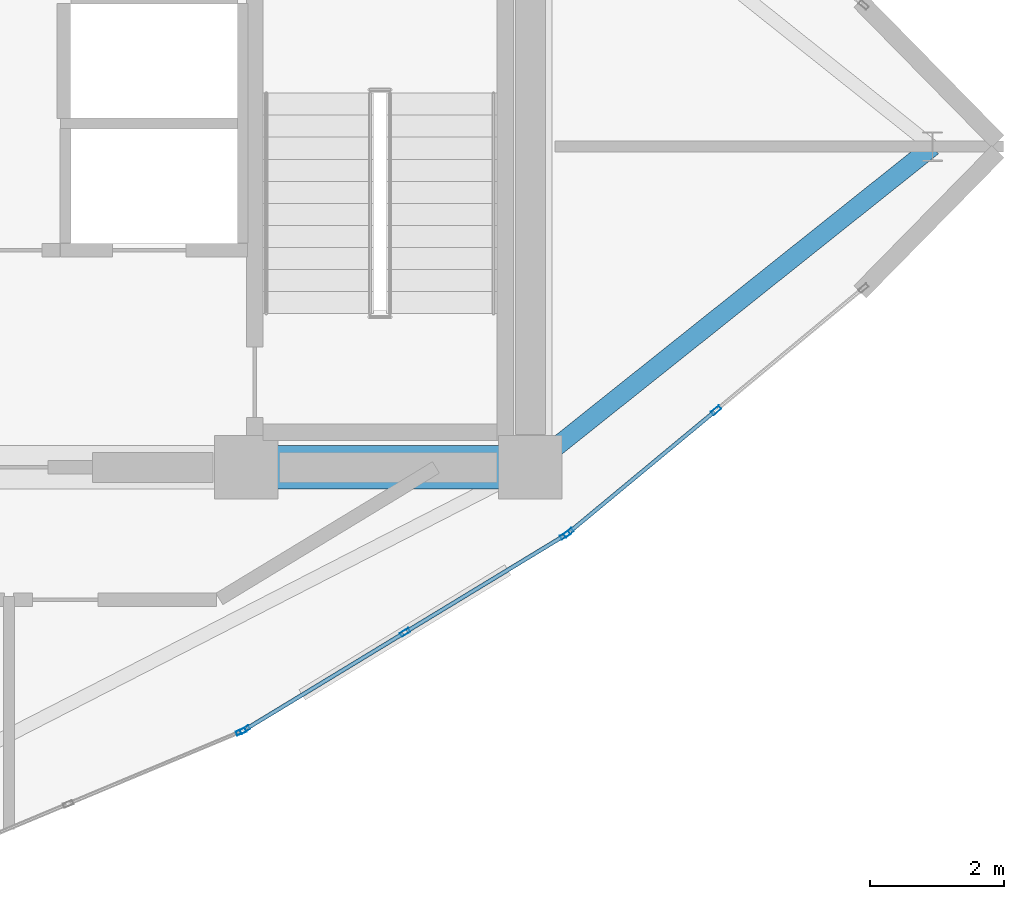
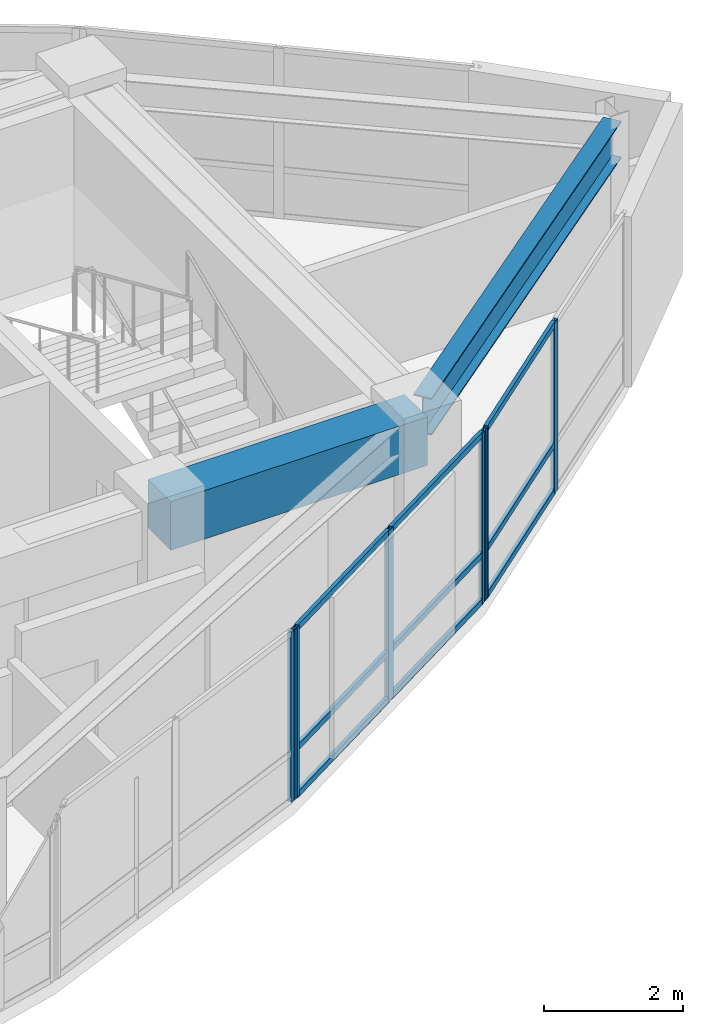
# One storey, part 5 of 14: 15 members, 2 beams, 3 elements without a shape of their own.
"""IFC4 building model written with IfcOpenShell, lengths in metres."""

from ifc_helpers import new_model, si_unit, direction, frame, origin, origin_2d, place, context, subcontext, project, spatial, rectangle, hollow_rectangle, i_section, extrude, material, layer, layer_set, material_profile, profile_set, type_object, element, aggregate, save


model = new_model("IFC4")

# Units and contexts
model_context = context("Model", 3, precision=1e-05, world=origin(), true_north=direction((0.0, 1.0)))
body_context = subcontext(model_context, "Body", "Model", "MODEL_VIEW")
ifc_project = project(units=[si_unit("LENGTHUNIT", "METRE"), si_unit("AREAUNIT", "SQUARE_METRE"), si_unit("VOLUMEUNIT", "CUBIC_METRE"), si_unit("PLANEANGLEUNIT", "RADIAN"), si_unit("MASSUNIT", "GRAM", prefix="KILO")], contexts=[model_context])

# Site, building, storey
site_placement = place(None, origin())
site = spatial("IfcSite", under=ifc_project, at=site_placement, CompositionType="ELEMENT")
building_placement = place(site_placement, origin())
building = spatial("IfcBuilding", under=site, at=building_placement, Name="Menara Vayukalpa", CompositionType="ELEMENT")
storey_placement = place(building_placement, frame((0.0, 0.0, 299.219970703125)))
storey = spatial("IfcBuildingStorey", under=building, at=storey_placement, Name="L76", CompositionType="ELEMENT", Elevation=299.219970703125)

# Beams
ifc_material_1 = material(Name="Concrete C60/75", Category="concrete")
ifc_material_profile_1 = material_profile(ifc_material_1, rectangle(XDim=0.64990234375, YDim=0.85009765625, at=origin_2d()), Name="RC 650x850")
ifc_profile_set_1 = profile_set([ifc_material_profile_1], Name="Concrete C60/75")
beam_type_1 = type_object("IfcBeamType", Name="BM-CB1", PredefinedType="BEAM", material=ifc_profile_set_1)
beam_1_placement = place(storey_placement, frame((29.14990234375, 17.199951171875, 2.554931640625), z_axis=(1.0, 0.0, 0.0), x_axis=(0.0, 1.0, 0.0)))
element("IfcBeam", 1, at=beam_1_placement, inside=storey, type_object=beam_type_1, Name="L76 Core Tie Beam CBR3", PredefinedType="BEAM", context=body_context, shape_type="SweptSolid", body=[
    extrude(rectangle(XDim=0.64990234375, YDim=0.85009765625, at=origin_2d()), origin(), (0.0, 0.0, 1.0), 4.25),
])
ifc_material_2 = material(Name="Steel S355", Category="steel")
ifc_material_profile_2 = material_profile(ifc_material_2, i_section(OverallWidth=0.280029296875, OverallDepth=0.64990234375, WebThickness=0.012939453125, FlangeThickness=0.02197265625, at=origin_2d()), Name="WF 650x280x13x22")
ifc_profile_set_2 = profile_set([ifc_material_profile_2], Name="Steel S355")
beam_type_2 = type_object("IfcBeamType", Name="BM-PG6", PredefinedType="BEAM", material=ifc_profile_set_2)
beam_2_placement = place(storey_placement, frame((33.595458984375, 17.35595703125, 2.655029296875), z_axis=(0.781833603421, 0.623487142258, 0.0), x_axis=(-0.623487142258, 0.781833603421, 0.0)))
element("IfcBeam", 2, at=beam_2_placement, inside=storey, type_object=beam_type_2, Name="L76 Primary Radial Girder RG01", PredefinedType="BEAM", context=body_context, shape_type="SweptSolid", body=[
    extrude(i_section(OverallWidth=0.280029296875, OverallDepth=0.64990234375, WebThickness=0.012939453125, FlangeThickness=0.02197265625, at=origin_2d()), origin(), (0.0, 0.0, 1.0), 7.448486328125),
])

# Curtain wall, member
ifc_material_3 = material(Name="Anodised Terracotta Aluminium Alloy 6063-T6", Category="masonry")
ifc_layer = layer(ifc_material_3, 0.14990234375)
ifc_layer_set = layer_set([ifc_layer], Name="Anodised Terracotta Aluminium Alloy 6063-T6")
curtain_wall_type = type_object("IfcCurtainWallType", Name="CW-CW7", PredefinedType="USERDEFINED", material=ifc_layer_set)
curtain_wall_1_placement = place(storey_placement, origin())
curtain_wall_1 = element("IfcCurtainWall", 3, at=curtain_wall_1_placement, inside=storey, type_object=curtain_wall_type, Name="L76 Crown Drum Screened Curtain Wall CW7 16", ObjectType="UNITISED", PredefinedType="USERDEFINED")
ifc_material_4 = material(Name="Anodised Terracotta Aluminium Alloy 6063-T6", Category="masonry")
ifc_material_profile_3 = material_profile(ifc_material_4, hollow_rectangle(XDim=0.06494140625, YDim=0.14990234375, WallThickness=0.00341796875, at=origin_2d()), Name="ALU 65x150x3.5")
ifc_profile_set_3 = profile_set([ifc_material_profile_3], Name="Anodised Terracotta Aluminium Alloy 6063-T6")
member_type_1 = type_object("IfcMemberType", Name="CWM-CW7", PredefinedType="MULLION", material=ifc_profile_set_3)
member_1_placement = place(storey_placement, frame((29.07177734375, 13.246337890625, 0.0), z_axis=(0.0, 0.0, 1.0), x_axis=(-0.385898361946, 0.922541302191, 0.0)))
member_1 = element("IfcMember", 4, at=member_1_placement, type_object=member_type_1, Name="CW7 mullion 3", PredefinedType="MULLION", context=body_context, shape_type="SweptSolid", body=[
    extrude(hollow_rectangle(XDim=0.06494140625, YDim=0.14990234375, WallThickness=0.00341796875, at=origin_2d()), origin(), (0.0, 0.0, 1.0), 2.97998046875),
])
aggregate(curtain_wall_1, [member_1])

# Curtain wall, members
curtain_wall_2_placement = place(storey_placement, origin())
curtain_wall_2 = element("IfcCurtainWall", 5, at=curtain_wall_2_placement, inside=storey, type_object=curtain_wall_type, Name="L76 Crown Drum Screened Curtain Wall CW7 17", ObjectType="UNITISED", PredefinedType="USERDEFINED")
member_2_placement = place(storey_placement, frame((29.129638671875, 13.27587890625, 0.0), z_axis=(0.0, 0.0, 1.0), x_axis=(-0.519176441176, 0.854667083096, 0.0)))
member_2 = element("IfcMember", 6, at=member_2_placement, type_object=member_type_1, Name="CW7 mullion 1", PredefinedType="MULLION", context=body_context, shape_type="SweptSolid", body=[
    extrude(hollow_rectangle(XDim=0.06494140625, YDim=0.14990234375, WallThickness=0.00341796875, at=origin_2d()), origin(), (0.0, 0.0, 1.0), 2.97998046875),
])
member_3_placement = place(storey_placement, frame((31.525146484375, 14.73095703125, 0.0), z_axis=(0.0, 0.0, 1.0), x_axis=(-0.519176441176, 0.854667083096, 0.0)))
member_3 = element("IfcMember", 7, at=member_3_placement, type_object=member_type_1, Name="CW7 mullion 2", PredefinedType="MULLION", context=body_context, shape_type="SweptSolid", body=[
    extrude(hollow_rectangle(XDim=0.06494140625, YDim=0.14990234375, WallThickness=0.00341796875, at=origin_2d()), origin(), (0.0, 0.0, 1.0), 2.97998046875),
])
member_4_placement = place(storey_placement, frame((33.9208984375, 16.186279296875, 0.0), z_axis=(0.0, 0.0, 1.0), x_axis=(-0.519176441176, 0.854667083096, 0.0)))
member_4 = element("IfcMember", 8, at=member_4_placement, type_object=member_type_1, Name="CW7 mullion 3", PredefinedType="MULLION", context=body_context, shape_type="SweptSolid", body=[
    extrude(hollow_rectangle(XDim=0.06494140625, YDim=0.14990234375, WallThickness=0.00341796875, at=origin_2d()), origin(), (0.0, 0.0, 1.0), 2.97998046875),
])

curtain_wall_3_placement = place(storey_placement, origin())
curtain_wall_3 = element("IfcCurtainWall", 9, at=curtain_wall_3_placement, inside=storey, type_object=curtain_wall_type, Name="L76 Crown Drum Screened Curtain Wall CW7 18", ObjectType="UNITISED", PredefinedType="USERDEFINED")
member_5_placement = place(storey_placement, frame((33.9736328125, 16.223876953125, 0.0), z_axis=(0.0, 0.0, 1.0), x_axis=(-0.63834658997, 0.7697490702, 0.0)))
member_5 = element("IfcMember", 10, at=member_5_placement, type_object=member_type_1, Name="CW7 mullion 1", PredefinedType="MULLION", context=body_context, shape_type="SweptSolid", body=[
    extrude(hollow_rectangle(XDim=0.06494140625, YDim=0.14990234375, WallThickness=0.00341796875, at=origin_2d()), origin(), (0.0, 0.0, 1.0), 2.97998046875),
])
member_6_placement = place(storey_placement, frame((36.1796875, 18.053466796875, 0.0), z_axis=(0.0, 0.0, 1.0), x_axis=(-0.63834658997, 0.7697490702, 0.0)))
member_6 = element("IfcMember", 11, at=member_6_placement, type_object=member_type_1, Name="CW7 mullion 2", PredefinedType="MULLION", context=body_context, shape_type="SweptSolid", body=[
    extrude(hollow_rectangle(XDim=0.06494140625, YDim=0.14990234375, WallThickness=0.00341796875, at=origin_2d()), origin(), (0.0, 0.0, 1.0), 2.97998046875),
])

# Member
ifc_material_5 = material(Name="Anodised Terracotta Aluminium Alloy 6063-T6", Category="masonry")
ifc_material_profile_4 = material_profile(ifc_material_5, hollow_rectangle(XDim=0.06005859375, YDim=0.10498046875, WallThickness=0.0029296875, at=origin_2d()), Name="ALU 60x105x3")
ifc_profile_set_4 = profile_set([ifc_material_profile_4], Name="Anodised Terracotta Aluminium Alloy 6063-T6")
member_type_2 = type_object("IfcMemberType", Name="CWT-CW7", PredefinedType="USERDEFINED", material=ifc_profile_set_4)
member_7_placement = place(storey_placement, frame((29.157470703125, 13.292724609375, 0.030029296875), z_axis=(0.854687194246, 0.519143332801, 0.0), x_axis=(-0.519143332801, 0.854687194246, 0.0)))
member_7 = element("IfcMember", 12, at=member_7_placement, type_object=member_type_2, Name="CW7 transom 1.1", ObjectType="TRANSOM", PredefinedType="USERDEFINED", context=body_context, shape_type="SweptSolid", body=[
    extrude(hollow_rectangle(XDim=0.06005859375, YDim=0.10498046875, WallThickness=0.0029296875, at=origin_2d()), origin(), (0.0, 0.0, 1.0), 2.738037109375),
])

member_8_placement = place(storey_placement, frame((29.157470703125, 13.292724609375, 0.85009765625), z_axis=(0.854687194246, 0.519143332801, 0.0), x_axis=(-0.519143332801, 0.854687194246, 0.0)))
member_8 = element("IfcMember", 13, at=member_8_placement, type_object=member_type_2, Name="CW7 transom 1.2", ObjectType="TRANSOM", PredefinedType="USERDEFINED", context=body_context, shape_type="SweptSolid", body=[
    extrude(hollow_rectangle(XDim=0.06005859375, YDim=0.10498046875, WallThickness=0.0029296875, at=origin_2d()), origin(), (0.0, 0.0, 1.0), 2.738037109375),
])

member_9_placement = place(storey_placement, frame((29.157470703125, 13.292724609375, 2.949951171875), z_axis=(0.854687194246, 0.519143332801, 0.0), x_axis=(-0.519143332801, 0.854687194246, 0.0)))
member_9 = element("IfcMember", 14, at=member_9_placement, type_object=member_type_2, Name="CW7 transom 1.3", ObjectType="TRANSOM", PredefinedType="USERDEFINED", context=body_context, shape_type="SweptSolid", body=[
    extrude(hollow_rectangle(XDim=0.06005859375, YDim=0.10498046875, WallThickness=0.0029296875, at=origin_2d()), origin(), (0.0, 0.0, 1.0), 2.738037109375),
])

member_10_placement = place(storey_placement, frame((31.552978515625, 14.747802734375, 0.030029296875), z_axis=(0.854647628743, 0.519208465537, 0.0), x_axis=(-0.519208465537, 0.854647628743, 0.0)))
member_10 = element("IfcMember", 15, at=member_10_placement, type_object=member_type_2, Name="CW7 transom 2.1", ObjectType="TRANSOM", PredefinedType="USERDEFINED", context=body_context, shape_type="SweptSolid", body=[
    extrude(hollow_rectangle(XDim=0.06005859375, YDim=0.10498046875, WallThickness=0.0029296875, at=origin_2d()), origin(), (0.0, 0.0, 1.0), 2.738037109375),
])

member_11_placement = place(storey_placement, frame((31.552978515625, 14.747802734375, 0.85009765625), z_axis=(0.854647628743, 0.519208465537, 0.0), x_axis=(-0.519208465537, 0.854647628743, 0.0)))
member_11 = element("IfcMember", 16, at=member_11_placement, type_object=member_type_2, Name="CW7 transom 2.2", ObjectType="TRANSOM", PredefinedType="USERDEFINED", context=body_context, shape_type="SweptSolid", body=[
    extrude(hollow_rectangle(XDim=0.06005859375, YDim=0.10498046875, WallThickness=0.0029296875, at=origin_2d()), origin(), (0.0, 0.0, 1.0), 2.738037109375),
])

member_12_placement = place(storey_placement, frame((31.552978515625, 14.747802734375, 2.949951171875), z_axis=(0.854647628743, 0.519208465537, 0.0), x_axis=(-0.519208465537, 0.854647628743, 0.0)))
member_12 = element("IfcMember", 17, at=member_12_placement, type_object=member_type_2, Name="CW7 transom 2.3", ObjectType="TRANSOM", PredefinedType="USERDEFINED", context=body_context, shape_type="SweptSolid", body=[
    extrude(hollow_rectangle(XDim=0.06005859375, YDim=0.10498046875, WallThickness=0.0029296875, at=origin_2d()), origin(), (0.0, 0.0, 1.0), 2.738037109375),
])

aggregate(curtain_wall_2, [member_2, member_3, member_4, member_7, member_8, member_9, member_10, member_11, member_12])

member_13_placement = place(storey_placement, frame((33.998779296875, 16.24462890625, 0.030029296875), z_axis=(0.769726621741, 0.638373658434, 0.0), x_axis=(-0.638373658434, 0.769726621741, 0.0)))
member_13 = element("IfcMember", 18, at=member_13_placement, type_object=member_type_2, Name="CW7 transom 1.1", ObjectType="TRANSOM", PredefinedType="USERDEFINED", context=body_context, shape_type="SweptSolid", body=[
    extrude(hollow_rectangle(XDim=0.06005859375, YDim=0.10498046875, WallThickness=0.0029296875, at=origin_2d()), origin(), (0.0, 0.0, 1.0), 2.801025390625),
])

member_14_placement = place(storey_placement, frame((33.998779296875, 16.24462890625, 0.85009765625), z_axis=(0.769726621741, 0.638373658434, 0.0), x_axis=(-0.638373658434, 0.769726621741, 0.0)))
member_14 = element("IfcMember", 19, at=member_14_placement, type_object=member_type_2, Name="CW7 transom 1.2", ObjectType="TRANSOM", PredefinedType="USERDEFINED", context=body_context, shape_type="SweptSolid", body=[
    extrude(hollow_rectangle(XDim=0.06005859375, YDim=0.10498046875, WallThickness=0.0029296875, at=origin_2d()), origin(), (0.0, 0.0, 1.0), 2.801025390625),
])

member_15_placement = place(storey_placement, frame((33.998779296875, 16.24462890625, 2.949951171875), z_axis=(0.769726621741, 0.638373658434, 0.0), x_axis=(-0.638373658434, 0.769726621741, 0.0)))
member_15 = element("IfcMember", 20, at=member_15_placement, type_object=member_type_2, Name="CW7 transom 1.3", ObjectType="TRANSOM", PredefinedType="USERDEFINED", context=body_context, shape_type="SweptSolid", body=[
    extrude(hollow_rectangle(XDim=0.06005859375, YDim=0.10498046875, WallThickness=0.0029296875, at=origin_2d()), origin(), (0.0, 0.0, 1.0), 2.801025390625),
])

aggregate(curtain_wall_3, [member_5, member_6, member_13, member_14, member_15])

save(model, "model.ifc")
